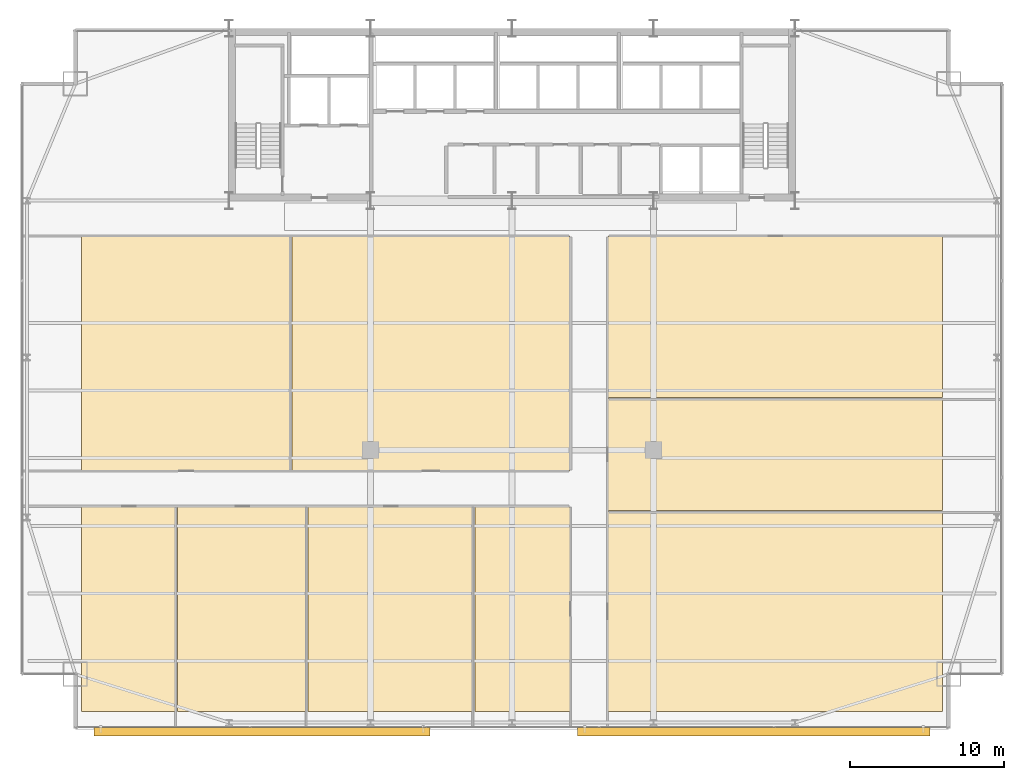
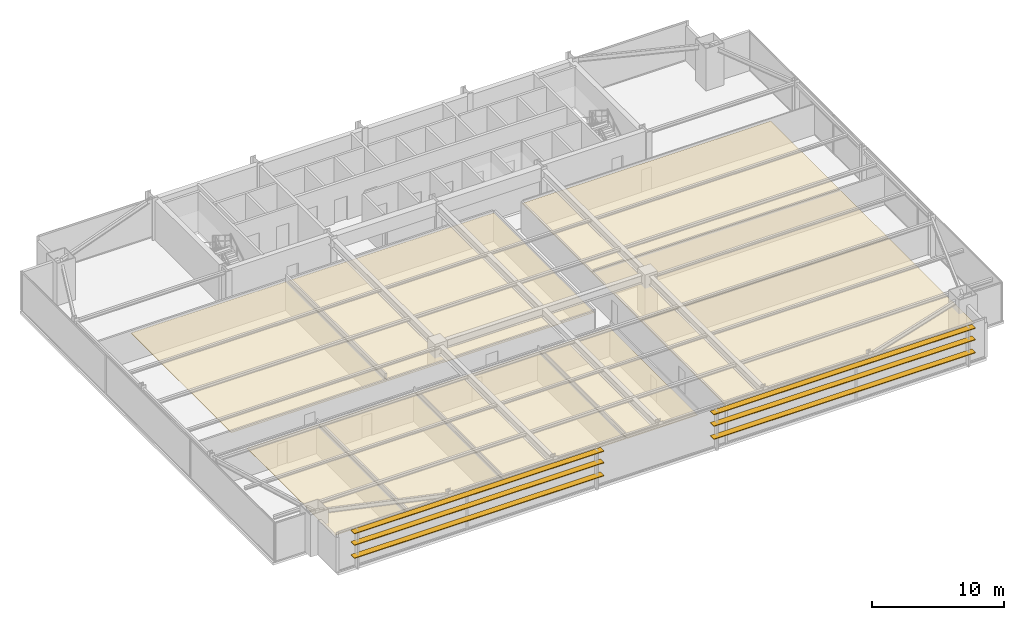
# One storey, part 29 of 30: 9 coverings, 6 shading devices.
"""IFC4 building model written with IfcOpenShell, lengths in metres."""

from ifc_helpers import new_model, si_unit, direction, frame, origin, origin_2d, place, context, subcontext, project, spatial, polyline, rectangle, outline, extrude, source, transform, mapped, material, layer, layer_set, type_object, type_shapes, element, save


model = new_model("IFC4")

# Units and contexts
model_context = context("Model", 3, precision=1e-05, world=origin(), true_north=direction((0.0, 1.0)))
body_context = subcontext(model_context, "Body", "Model", "MODEL_VIEW")
ifc_project = project(units=[si_unit("LENGTHUNIT", "METRE"), si_unit("AREAUNIT", "SQUARE_METRE"), si_unit("VOLUMEUNIT", "CUBIC_METRE"), si_unit("PLANEANGLEUNIT", "RADIAN"), si_unit("MASSUNIT", "GRAM", prefix="KILO")], contexts=[model_context])

# Site, building, storey
site_placement = place(None, origin())
site = spatial("IfcSite", under=ifc_project, at=site_placement, CompositionType="ELEMENT")
building_placement = place(site_placement, origin())
building = spatial("IfcBuilding", under=site, at=building_placement, Name="Varnel Quay Broadcast Tower", CompositionType="ELEMENT")
storey_placement = place(building_placement, frame((0.0, 0.0, 62.699951171875)))
storey = spatial("IfcBuildingStorey", under=building, at=storey_placement, Name="L14", CompositionType="ELEMENT", Elevation=62.699951171875)

# Coverings
ifc_material_1 = material(Name="Micro-Perforated Acoustic Ceiling Tile")
ifc_layer_1 = layer(ifc_material_1, 0.0400390625, Name="Micro-Perforated Acoustic Ceiling Tile")
ifc_layer_set_1 = layer_set([ifc_layer_1], Name="Micro-Perforated Acoustic Ceiling Tile")
covering_type = type_object("IfcCoveringType", Name="Cov_AcousticCeiling", PredefinedType="CEILING", material=ifc_layer_set_1)
covering_1_placement = place(storey_placement, frame((0.0, 0.0, 2.580078125)))
element("IfcCovering", 1, at=covering_1_placement, inside=storey, type_object=covering_type, Name="L14 Tea Kitchen 1 Acoustic Ceiling", PredefinedType="CEILING", context=body_context, shape_type="SweptSolid", body=[
    extrude(outline(polyline([(5.985107421875, 2.375), (12.175048828125, 2.375), (12.175048828125, 15.68505859375), (5.985107421875, 15.68505859375), (5.985107421875, 2.375)])), origin(), (0.0, 0.0, 1.0), 0.0400390625),
])
covering_2_placement = place(storey_placement, frame((0.0, 0.0, 2.580078125)))
element("IfcCovering", 2, at=covering_2_placement, inside=storey, type_object=covering_type, Name="L14 Media Tape Archive Store 2 Acoustic Ceiling", PredefinedType="CEILING", context=body_context, shape_type="SweptSolid", body=[
    extrude(outline(polyline([(12.2451171875, 2.375), (20.675048828125, 2.375), (20.675048828125, 15.68505859375), (12.2451171875, 15.68505859375), (12.2451171875, 2.375)])), origin(), (0.0, 0.0, 1.0), 0.0400390625),
])
covering_3_placement = place(storey_placement, frame((0.0, 0.0, 2.580078125)))
element("IfcCovering", 3, at=covering_3_placement, inside=storey, type_object=covering_type, Name="L14 Lens & Rigging Store 3 Acoustic Ceiling", PredefinedType="CEILING", context=body_context, shape_type="SweptSolid", body=[
    extrude(outline(polyline([(20.7451171875, 2.375), (31.514892578125, 2.375), (31.514892578125, 15.68505859375), (20.7451171875, 15.68505859375), (20.7451171875, 2.375)])), origin(), (0.0, 0.0, 1.0), 0.0400390625),
])
covering_4_placement = place(storey_placement, frame((0.0, 0.0, 2.580078125)))
element("IfcCovering", 4, at=covering_4_placement, inside=storey, type_object=covering_type, Name="L14 Ingest Vault Store 4 Acoustic Ceiling", PredefinedType="CEILING", context=body_context, shape_type="SweptSolid", body=[
    extrude(outline(polyline([(31.5849609375, 2.375), (37.77490234375, 2.375), (37.77490234375, 15.68505859375), (31.5849609375, 15.68505859375), (31.5849609375, 2.375)])), origin(), (0.0, 0.0, 1.0), 0.0400390625),
])
covering_5_placement = place(storey_placement, frame((0.0, 0.0, 2.580078125)))
element("IfcCovering", 5, at=covering_5_placement, inside=storey, type_object=covering_type, Name="L14 Color Timing Suite 5 Acoustic Ceiling", PredefinedType="CEILING", context=body_context, shape_type="SweptSolid", body=[
    extrude(outline(polyline([(5.985107421875, 18.054931640625), (19.625, 18.054931640625), (19.625, 33.264892578125), (5.985107421875, 33.264892578125), (5.985107421875, 18.054931640625)])), origin(), (0.0, 0.0, 1.0), 0.0400390625),
])
covering_6_placement = place(storey_placement, frame((0.0, 0.0, 2.580078125)))
element("IfcCovering", 6, at=covering_6_placement, inside=storey, type_object=covering_type, Name="L14 Screening Meeting Room 6 Acoustic Ceiling", PredefinedType="CEILING", context=body_context, shape_type="SweptSolid", body=[
    extrude(outline(polyline([(19.695068359375, 18.054931640625), (37.77490234375, 18.054931640625), (37.77490234375, 33.264892578125), (19.695068359375, 33.264892578125), (19.695068359375, 18.054931640625)])), origin(), (0.0, 0.0, 1.0), 0.0400390625),
])
covering_7_placement = place(storey_placement, frame((0.0, 0.0, 2.580078125)))
element("IfcCovering", 7, at=covering_7_placement, inside=storey, type_object=covering_type, Name="L14 Producer Lounge 7 Acoustic Ceiling", PredefinedType="CEILING", context=body_context, shape_type="SweptSolid", body=[
    extrude(outline(polyline([(40.2451171875, 2.375), (62.014892578125, 2.375), (62.014892578125, 15.385009765625), (40.2451171875, 15.385009765625), (40.2451171875, 2.375)])), origin(), (0.0, 0.0, 1.0), 0.0400390625),
])
covering_8_placement = place(storey_placement, frame((0.0, 0.0, 2.580078125)))
element("IfcCovering", 8, at=covering_8_placement, inside=storey, type_object=covering_type, Name="L14 Tea Kitchen 8 Acoustic Ceiling", PredefinedType="CEILING", context=body_context, shape_type="SweptSolid", body=[
    extrude(outline(polyline([(40.2451171875, 15.455078125), (62.014892578125, 15.455078125), (62.014892578125, 22.735107421875), (40.2451171875, 22.735107421875), (40.2451171875, 15.455078125)])), origin(), (0.0, 0.0, 1.0), 0.0400390625),
])
covering_9_placement = place(storey_placement, frame((0.0, 0.0, 2.580078125)))
element("IfcCovering", 9, at=covering_9_placement, inside=storey, type_object=covering_type, Name="L14 Media Tape Archive Store 9 Acoustic Ceiling", PredefinedType="CEILING", context=body_context, shape_type="SweptSolid", body=[
    extrude(outline(polyline([(40.2451171875, 22.804931640625), (62.014892578125, 22.804931640625), (62.014892578125, 33.264892578125), (40.2451171875, 33.264892578125), (40.2451171875, 22.804931640625)])), origin(), (0.0, 0.0, 1.0), 0.0400390625),
])

# Shading devices
ifc_material_2 = material(Name="Bronze-Terracotta Extruded Ceramic Blade", Category="masonry")
ifc_layer_2 = layer(ifc_material_2, 0.06494140625, Name="Bronze-Terracotta Extruded Ceramic Blade")
ifc_layer_set_2 = layer_set([ifc_layer_2], Name="Bronze-Terracotta Extruded Ceramic Blade")
shading_device_type = type_object("IfcShadingDeviceType", Name="Shade_LouvreBlade550", PredefinedType="JALOUSIE", material=ifc_layer_set_2)
shared_shape_1 = source(origin(), body_context, "Body", "SweptSolid", [
    extrude(rectangle(XDim=22.928955078125, YDim=0.550048828125, at=origin_2d()), origin(), (0.0, 0.0, 1.0), 0.06494140625),
])
for number, where, z_axis, x_axis, name in (
    (10, (49.736083984375, 1.06005859375, 1.11767578125), (0.0, 0.0, 1.0), (1.0, 0.0, 0.0), "L14 Lobe 2 Horizontal Louvre Blade 1"),
    (11, (49.736083984375, 1.06005859375, 2.317626953125), (0.0, 0.0, 1.0), (1.0, 0.0, 0.0), "L14 Lobe 2 Horizontal Louvre Blade 2"),
    (12, (49.736083984375, 1.06005859375, 3.3876953125), (0.0, 0.0, 1.0), (1.0, 0.0, 0.0), "L14 Lobe 2 Horizontal Louvre Blade 3"),
):
    element("IfcShadingDevice", number, at=place(storey_placement, frame(where, z_axis=z_axis, x_axis=x_axis)), inside=storey, type_object=shading_device_type, Name=name, PredefinedType="JALOUSIE", context=body_context, shape_type="MappedRepresentation", body=[
        mapped(shared_shape_1, transform((0.0, 0.0, 0.0), x_axis=(1.0, 0.0, 0.0), y_axis=(0.0, 1.0, 0.0), z_axis=(0.0, 0.0, 1.0), scale=1.0)),
    ])
shared_shape_2 = source(origin(), body_context, "Body", "SweptSolid", [
    extrude(rectangle(XDim=21.87109375, YDim=0.550048828125, at=origin_2d()), origin(), (0.0, 0.0, 1.0), 0.06494140625),
])
type_shapes(shading_device_type, [shared_shape_1, shared_shape_2])
for number, where, z_axis, x_axis, name in (
    (13, (17.735107421875, 1.06005859375, 1.11767578125), (0.0, 0.0, 1.0), (1.0, 0.0, 0.0), "L14 Lobe 1 Horizontal Louvre Blade 1"),
    (14, (17.735107421875, 1.06005859375, 2.317626953125), (0.0, 0.0, 1.0), (1.0, 0.0, 0.0), "L14 Lobe 1 Horizontal Louvre Blade 2"),
    (15, (17.735107421875, 1.06005859375, 3.3876953125), (0.0, 0.0, 1.0), (1.0, 0.0, 0.0), "L14 Lobe 1 Horizontal Louvre Blade 3"),
):
    element("IfcShadingDevice", number, at=place(storey_placement, frame(where, z_axis=z_axis, x_axis=x_axis)), inside=storey, type_object=shading_device_type, Name=name, PredefinedType="JALOUSIE", context=body_context, shape_type="MappedRepresentation", body=[
        mapped(shared_shape_2, transform((0.0, 0.0, 0.0), x_axis=(1.0, 0.0, 0.0), y_axis=(0.0, 1.0, 0.0), z_axis=(0.0, 0.0, 1.0), scale=1.0)),
    ])

save(model, "model.ifc")
